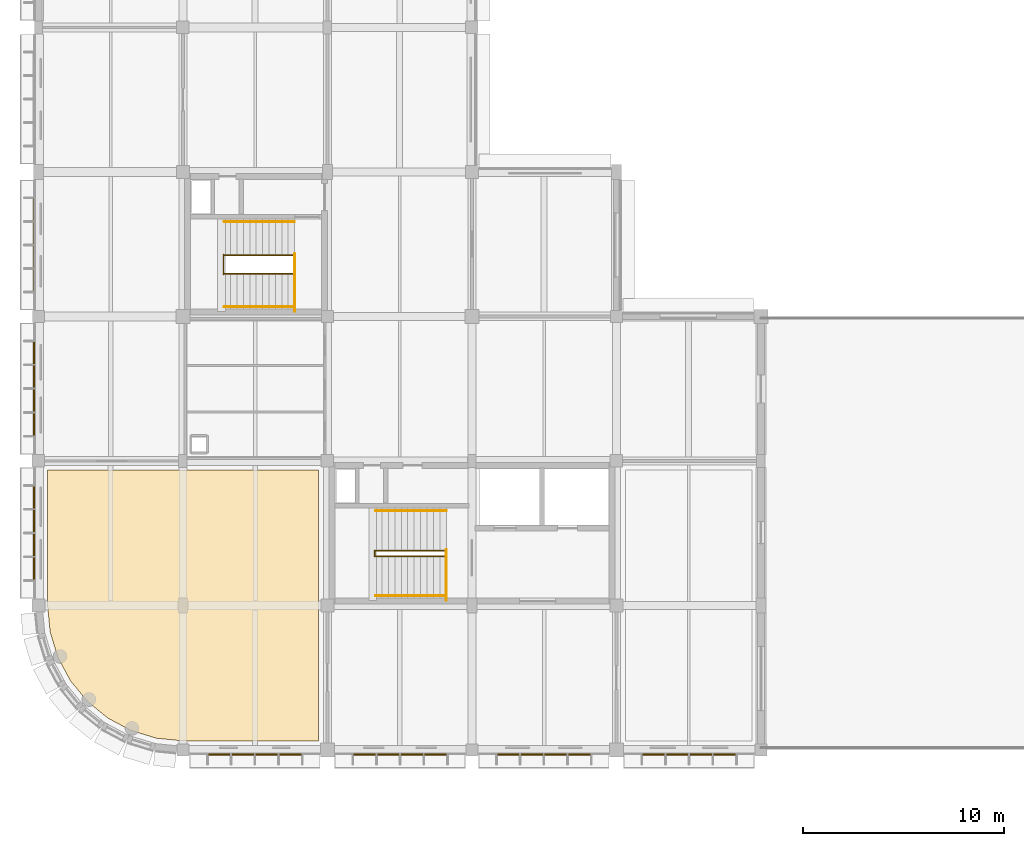
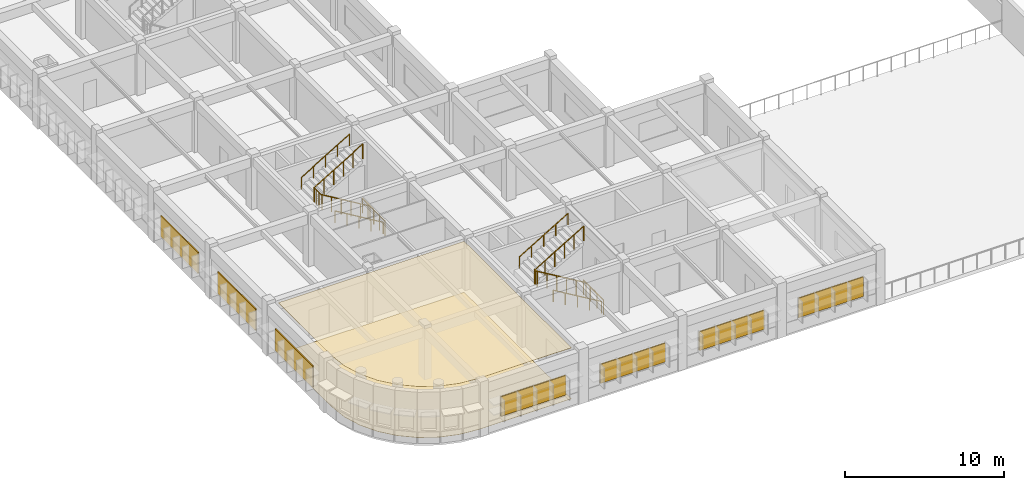
# One storey, part 97 of 103: 12 railings, 7 shading devices, 2 coverings.
"""IFC4 building model written with IfcOpenShell, lengths in metres."""

from ifc_helpers import new_model, si_unit, direction, frame, origin, origin_2d, place, context, subcontext, project, spatial, polyline, rectangle, circle, outline, extrude, material, layer, layer_set, type_object, element, save


model = new_model("IFC4")

# Units and contexts
model_context = context("Model", 3, precision=1e-05, world=origin(), true_north=direction((0.0, 1.0)))
body_context = subcontext(model_context, "Body", "Model", "MODEL_VIEW")
ifc_project = project(units=[si_unit("LENGTHUNIT", "METRE"), si_unit("AREAUNIT", "SQUARE_METRE"), si_unit("VOLUMEUNIT", "CUBIC_METRE"), si_unit("PLANEANGLEUNIT", "RADIAN"), si_unit("MASSUNIT", "GRAM", prefix="KILO")], contexts=[model_context])

# Site, building, storey
site_placement = place(None, origin())
site = spatial("IfcSite", under=ifc_project, at=site_placement, CompositionType="ELEMENT")
building_placement = place(site_placement, origin())
building = spatial("IfcBuilding", under=site, at=building_placement, Name="Thalmaran Polytechnic", CompositionType="ELEMENT")
storey_placement = place(building_placement, frame((0.0, 0.0, 14.39990234375)))
storey = spatial("IfcBuildingStorey", under=building, at=storey_placement, Name="L03", CompositionType="ELEMENT", Elevation=14.39990234375)

# Coverings
ifc_material_1 = material(Name="Acoustic mineral fibre ceiling")
ifc_layer_1 = layer(ifc_material_1, 0.02490234375, Name="Acoustic mineral fibre ceiling")
ifc_layer_set_1 = layer_set([ifc_layer_1], Name="Acoustic mineral fibre ceiling")
covering_type_1 = type_object("IfcCoveringType", Name="CV-CL01", PredefinedType="CEILING", material=ifc_layer_set_1)
covering_1_placement = place(storey_placement, frame((0.0, 0.0, 3.9150390625)))
element("IfcCovering", 1, at=covering_1_placement, inside=storey, type_object=covering_type_1, Name="Seminar Room L03-01 Acoustic Ceiling", PredefinedType="CEILING", context=body_context, shape_type="SweptSolid", body=[
    extrude(outline(polyline([(4.61767578125, 0.9658203125), (3.451171875, 1.58935546875), (2.428466796875, 2.428466796875), (1.58935546875, 3.451171875), (0.9658203125, 4.61767578125), (0.581787109375, 5.883544921875), (0.449951171875, 7.22216796875), (0.449951171875, 13.949951171875), (13.949951171875, 13.949951171875), (13.949951171875, 0.449951171875), (7.22216796875, 0.449951171875), (5.883544921875, 0.581787109375), (4.61767578125, 0.9658203125)])), origin(), (0.0, 0.0, 1.0), 0.025146484375),
])
ifc_material_2 = material(Name="Polished terrazzo and epoxy lab flooring")
ifc_layer_2 = layer(ifc_material_2, 0.02001953125, Name="Polished terrazzo and epoxy lab flooring")
ifc_layer_set_2 = layer_set([ifc_layer_2], Name="Polished terrazzo and epoxy lab flooring")
covering_type_2 = type_object("IfcCoveringType", Name="CV-FL01", PredefinedType="FLOORING", material=ifc_layer_set_2)
covering_2_placement = place(storey_placement, origin())
element("IfcCovering", 2, at=covering_2_placement, inside=storey, type_object=covering_type_2, Name="Seminar Room L03-01 Specialist Finish Flooring", PredefinedType="FLOORING", context=body_context, shape_type="SweptSolid", body=[
    extrude(outline(polyline([(4.61767578125, 0.9658203125), (3.451171875, 1.58935546875), (2.428466796875, 2.428466796875), (1.58935546875, 3.451171875), (0.9658203125, 4.61767578125), (0.581787109375, 5.883544921875), (0.449951171875, 7.22216796875), (0.449951171875, 13.949951171875), (13.949951171875, 13.949951171875), (13.949951171875, 0.449951171875), (7.22216796875, 0.449951171875), (5.883544921875, 0.581787109375), (4.61767578125, 0.9658203125)])), origin(), (0.0, 0.0, 1.0), 0.02001953125),
])

# Railings
ifc_material_3 = material(Name="Stainless steel 316", Category="steel")
railing_type_1 = type_object("IfcRailingType", Name="RL-GR01", PredefinedType="GUARDRAIL", material=ifc_material_3)
railing_1_placement = place(storey_placement, frame((20.330078125, 7.449951171875, 0.0)))
element("IfcRailing", 3, at=railing_1_placement, inside=storey, type_object=railing_type_1, Name="ST1 L03 Landing Edge Guardrail", PredefinedType="GUARDRAIL", context=body_context, shape_type="SweptSolid", body=[
    extrude(circle(Radius=0.02392578125, at=origin_2d()), frame((0.0, 0.0, 1.1259765625), z_axis=(0.0, 1.0, 0.0), x_axis=(-1.0, 0.0, 0.0)), (0.0, 0.0, 1.0), 2.530029296875),
    extrude(circle(Radius=0.02099609375, at=origin_2d()), origin(), (0.0, 0.0, 1.0), 1.101806640625),
    extrude(circle(Radius=0.02099609375, at=origin_2d()), frame((0.0, 0.84326171875, 0.0)), (0.0, 0.0, 1.0), 1.101806640625),
    extrude(circle(Radius=0.02099609375, at=origin_2d()), frame((0.0, 1.686767578125, 0.0)), (0.0, 0.0, 1.0), 1.101806640625),
    extrude(circle(Radius=0.02099609375, at=origin_2d()), frame((0.0, 2.530029296875, 0.0)), (0.0, 0.0, 1.0), 1.101806640625),
])
railing_2_placement = place(storey_placement, frame((20.320068359375, 9.659912109375, 0.0)))
element("IfcRailing", 4, at=railing_2_placement, inside=storey, type_object=railing_type_1, Name="ST1 L03 Lower Flight Guardrail", PredefinedType="GUARDRAIL", context=body_context, shape_type="SweptSolid", body=[
    extrude(circle(Radius=0.02392578125, at=origin_2d()), frame((0.0, 0.0, 1.1259765625), z_axis=(-0.85877260855, 0.0, 0.512356913493), x_axis=(0.0, -1.0, 0.0)), (0.0, 0.0, 1.0), 4.098876953125),
    extrude(circle(Radius=0.02099609375, at=origin_2d()), origin(), (0.0, 0.0, 1.0), 1.101806640625),
    extrude(circle(Radius=0.02099609375, at=origin_2d()), frame((-0.7041015625, 0.0, 0.419921875)), (0.0, 0.0, 1.0), 1.101806640625),
    extrude(circle(Radius=0.02099609375, at=origin_2d()), frame((-1.407958984375, 0.0, 0.840087890625)), (0.0, 0.0, 1.0), 1.101806640625),
    extrude(circle(Radius=0.02099609375, at=origin_2d()), frame((-2.112060546875, 0.0, 1.260009765625)), (0.0, 0.0, 1.0), 1.101806640625),
    extrude(circle(Radius=0.02099609375, at=origin_2d()), frame((-2.81591796875, 0.0, 1.68017578125)), (0.0, 0.0, 1.0), 1.101806640625),
    extrude(circle(Radius=0.02099609375, at=origin_2d()), frame((-3.52001953125, 0.0, 2.10009765625)), (0.0, 0.0, 1.0), 1.101806640625),
])
railing_3_placement = place(storey_placement, frame((16.760009765625, 9.639892578125, 2.10009765625)))
element("IfcRailing", 5, at=railing_3_placement, inside=storey, type_object=railing_type_1, Name="ST1 L03 Half-Landing Well Guardrail", PredefinedType="GUARDRAIL", context=body_context, shape_type="SweptSolid", body=[
    extrude(circle(Radius=0.02392578125, at=origin_2d()), frame((0.0, 0.0, 1.1259765625), z_axis=(0.0, 1.0, 0.0), x_axis=(-1.0, 0.0, 0.0)), (0.0, 0.0, 1.0), 0.300048828125),
    extrude(circle(Radius=0.02099609375, at=origin_2d()), origin(), (0.0, 0.0, 1.0), 1.101806640625),
    extrude(circle(Radius=0.02099609375, at=origin_2d()), frame((0.0, 0.300048828125, 0.0)), (0.0, 0.0, 1.0), 1.101806640625),
])
railing_4_placement = place(storey_placement, frame((16.800048828125, 9.919921875, 2.10009765625)))
element("IfcRailing", 6, at=railing_4_placement, inside=storey, type_object=railing_type_1, Name="ST1 L03 Upper Flight Guardrail", PredefinedType="GUARDRAIL", context=body_context, shape_type="SweptSolid", body=[
    extrude(circle(Radius=0.02392578125, at=origin_2d()), frame((0.0, 0.0, 1.1259765625), z_axis=(0.85877260855, 0.0, 0.512356913493), x_axis=(0.0, 1.0, 0.0)), (0.0, 0.0, 1.0), 4.098876953125),
    extrude(circle(Radius=0.02099609375, at=origin_2d()), origin(), (0.0, 0.0, 1.0), 1.101806640625),
    extrude(circle(Radius=0.02099609375, at=origin_2d()), frame((0.7041015625, 0.0, 0.419921875)), (0.0, 0.0, 1.0), 1.101806640625),
    extrude(circle(Radius=0.02099609375, at=origin_2d()), frame((1.407958984375, 0.0, 0.840087890625)), (0.0, 0.0, 1.0), 1.101806640625),
    extrude(circle(Radius=0.02099609375, at=origin_2d()), frame((2.112060546875, 0.0, 1.260009765625)), (0.0, 0.0, 1.0), 1.101806640625),
    extrude(circle(Radius=0.02099609375, at=origin_2d()), frame((2.81591796875, 0.0, 1.68017578125)), (0.0, 0.0, 1.0), 1.101806640625),
    extrude(circle(Radius=0.02099609375, at=origin_2d()), frame((3.52001953125, 0.0, 2.10009765625)), (0.0, 0.0, 1.0), 1.101806640625),
])
railing_5_placement = place(storey_placement, frame((12.77001953125, 21.85009765625, 0.0)))
element("IfcRailing", 7, at=railing_5_placement, inside=storey, type_object=railing_type_1, Name="ST3 L03 Landing Edge Guardrail", PredefinedType="GUARDRAIL", context=body_context, shape_type="SweptSolid", body=[
    extrude(circle(Radius=0.02392578125, at=origin_2d()), frame((0.0, 0.0, 1.1259765625), z_axis=(0.0, 1.0, 0.0), x_axis=(-1.0, 0.0, 0.0)), (0.0, 0.0, 1.0), 2.869873046875),
    extrude(circle(Radius=0.02099609375, at=origin_2d()), origin(), (0.0, 0.0, 1.0), 1.101806640625),
    extrude(circle(Radius=0.02099609375, at=origin_2d()), frame((0.0, 0.717529296875, 0.0)), (0.0, 0.0, 1.0), 1.101806640625),
    extrude(circle(Radius=0.02099609375, at=origin_2d()), frame((0.0, 1.43505859375, 0.0)), (0.0, 0.0, 1.0), 1.101806640625),
    extrude(circle(Radius=0.02099609375, at=origin_2d()), frame((0.0, 2.15234375, 0.0)), (0.0, 0.0, 1.0), 1.101806640625),
    extrude(circle(Radius=0.02099609375, at=origin_2d()), frame((0.0, 2.869873046875, 0.0)), (0.0, 0.0, 1.0), 1.101806640625),
])
railing_6_placement = place(storey_placement, frame((12.760009765625, 23.719970703125, 0.0)))
element("IfcRailing", 8, at=railing_6_placement, inside=storey, type_object=railing_type_1, Name="ST3 L03 Lower Flight Guardrail", PredefinedType="GUARDRAIL", context=body_context, shape_type="SweptSolid", body=[
    extrude(circle(Radius=0.02392578125, at=origin_2d()), frame((0.0, 0.0, 1.1259765625), z_axis=(-0.857482370257, 0.0, 0.514513347444), x_axis=(0.0, -1.0, 0.0)), (0.0, 0.0, 1.0), 4.081787109375),
    extrude(circle(Radius=0.02099609375, at=origin_2d()), origin(), (0.0, 0.0, 1.0), 1.101806640625),
    extrude(circle(Radius=0.02099609375, at=origin_2d()), frame((-0.699951171875, 0.0, 0.419921875)), (0.0, 0.0, 1.0), 1.101806640625),
    extrude(circle(Radius=0.02099609375, at=origin_2d()), frame((-1.39990234375, 0.0, 0.840087890625)), (0.0, 0.0, 1.0), 1.101806640625),
    extrude(circle(Radius=0.02099609375, at=origin_2d()), frame((-2.10009765625, 0.0, 1.260009765625)), (0.0, 0.0, 1.0), 1.101806640625),
    extrude(circle(Radius=0.02099609375, at=origin_2d()), frame((-2.800048828125, 0.0, 1.68017578125)), (0.0, 0.0, 1.0), 1.101806640625),
    extrude(circle(Radius=0.02099609375, at=origin_2d()), frame((-3.5, 0.0, 2.10009765625)), (0.0, 0.0, 1.0), 1.101806640625),
])
railing_7_placement = place(storey_placement, frame((9.219970703125, 23.699951171875, 2.10009765625)))
element("IfcRailing", 9, at=railing_7_placement, inside=storey, type_object=railing_type_1, Name="ST3 L03 Half-Landing Well Guardrail", PredefinedType="GUARDRAIL", context=body_context, shape_type="SweptSolid", body=[
    extrude(circle(Radius=0.02392578125, at=origin_2d()), frame((0.0, 0.0, 1.1259765625), z_axis=(0.0, 1.0, 0.0), x_axis=(-1.0, 0.0, 0.0)), (0.0, 0.0, 1.0), 0.97998046875),
    extrude(circle(Radius=0.02099609375, at=origin_2d()), origin(), (0.0, 0.0, 1.0), 1.101806640625),
    extrude(circle(Radius=0.02099609375, at=origin_2d()), frame((0.0, 0.32666015625, 0.0)), (0.0, 0.0, 1.0), 1.101806640625),
    extrude(circle(Radius=0.02099609375, at=origin_2d()), frame((0.0, 0.6533203125, 0.0)), (0.0, 0.0, 1.0), 1.101806640625),
    extrude(circle(Radius=0.02099609375, at=origin_2d()), frame((0.0, 0.97998046875, 0.0)), (0.0, 0.0, 1.0), 1.101806640625),
])
railing_8_placement = place(storey_placement, frame((9.260009765625, 24.659912109375, 2.10009765625)))
element("IfcRailing", 10, at=railing_8_placement, inside=storey, type_object=railing_type_1, Name="ST3 L03 Upper Flight Guardrail", PredefinedType="GUARDRAIL", context=body_context, shape_type="SweptSolid", body=[
    extrude(circle(Radius=0.02392578125, at=origin_2d()), frame((0.0, 0.0, 1.1259765625), z_axis=(0.857482370257, 0.0, 0.514513347444), x_axis=(0.0, 1.0, 0.0)), (0.0, 0.0, 1.0), 4.081787109375),
    extrude(circle(Radius=0.02099609375, at=origin_2d()), origin(), (0.0, 0.0, 1.0), 1.101806640625),
    extrude(circle(Radius=0.02099609375, at=origin_2d()), frame((0.699951171875, 0.0, 0.419921875)), (0.0, 0.0, 1.0), 1.101806640625),
    extrude(circle(Radius=0.02099609375, at=origin_2d()), frame((1.39990234375, 0.0, 0.840087890625)), (0.0, 0.0, 1.0), 1.101806640625),
    extrude(circle(Radius=0.02099609375, at=origin_2d()), frame((2.10009765625, 0.0, 1.260009765625)), (0.0, 0.0, 1.0), 1.101806640625),
    extrude(circle(Radius=0.02099609375, at=origin_2d()), frame((2.800048828125, 0.0, 1.68017578125)), (0.0, 0.0, 1.0), 1.101806640625),
    extrude(circle(Radius=0.02099609375, at=origin_2d()), frame((3.5, 0.0, 2.10009765625)), (0.0, 0.0, 1.0), 1.101806640625),
])
railing_type_2 = type_object("IfcRailingType", Name="RL-HR01", PredefinedType="HANDRAIL", material=ifc_material_3)
railing_9_placement = place(storey_placement, frame((20.320068359375, 7.679931640625, 0.0)))
element("IfcRailing", 11, at=railing_9_placement, inside=storey, type_object=railing_type_2, Name="ST1 L03 Flight 1 Handrail", PredefinedType="HANDRAIL", context=body_context, shape_type="SweptSolid", body=[
    extrude(circle(Radius=0.02392578125, at=origin_2d()), frame((0.0, 0.0, 0.8759765625), z_axis=(-0.85877260855, 0.0, 0.512356913493), x_axis=(0.0, -1.0, 0.0)), (0.0, 0.0, 1.0), 4.098876953125),
    extrude(circle(Radius=0.02099609375, at=origin_2d()), origin(), (0.0, 0.0, 1.0), 0.851806640625),
    extrude(circle(Radius=0.02099609375, at=origin_2d()), frame((-0.8798828125, 0.0, 0.52490234375)), (0.0, 0.0, 1.0), 0.851806640625),
    extrude(circle(Radius=0.02099609375, at=origin_2d()), frame((-1.760009765625, 0.0, 1.050048828125)), (0.0, 0.0, 1.0), 0.851806640625),
    extrude(circle(Radius=0.02099609375, at=origin_2d()), frame((-2.64013671875, 0.0, 1.5751953125)), (0.0, 0.0, 1.0), 0.851806640625),
    extrude(circle(Radius=0.02099609375, at=origin_2d()), frame((-3.52001953125, 0.0, 2.10009765625)), (0.0, 0.0, 1.0), 0.851806640625),
])
railing_10_placement = place(storey_placement, frame((16.800048828125, 11.919921875, 2.10009765625)))
element("IfcRailing", 12, at=railing_10_placement, inside=storey, type_object=railing_type_2, Name="ST1 L03 Flight 2 Handrail", PredefinedType="HANDRAIL", context=body_context, shape_type="SweptSolid", body=[
    extrude(circle(Radius=0.02392578125, at=origin_2d()), frame((0.0, 0.0, 0.8759765625), z_axis=(0.85877260855, 0.0, 0.512356913493), x_axis=(0.0, 1.0, 0.0)), (0.0, 0.0, 1.0), 4.098876953125),
    extrude(circle(Radius=0.02099609375, at=origin_2d()), origin(), (0.0, 0.0, 1.0), 0.851806640625),
    extrude(circle(Radius=0.02099609375, at=origin_2d()), frame((0.8798828125, 0.0, 0.52490234375)), (0.0, 0.0, 1.0), 0.851806640625),
    extrude(circle(Radius=0.02099609375, at=origin_2d()), frame((1.760009765625, 0.0, 1.050048828125)), (0.0, 0.0, 1.0), 0.851806640625),
    extrude(circle(Radius=0.02099609375, at=origin_2d()), frame((2.64013671875, 0.0, 1.5751953125)), (0.0, 0.0, 1.0), 0.851806640625),
    extrude(circle(Radius=0.02099609375, at=origin_2d()), frame((3.52001953125, 0.0, 2.10009765625)), (0.0, 0.0, 1.0), 0.851806640625),
])
railing_11_placement = place(storey_placement, frame((12.760009765625, 22.080078125, 0.0)))
element("IfcRailing", 13, at=railing_11_placement, inside=storey, type_object=railing_type_2, Name="ST3 L03 Flight 1 Handrail", PredefinedType="HANDRAIL", context=body_context, shape_type="SweptSolid", body=[
    extrude(circle(Radius=0.02392578125, at=origin_2d()), frame((0.0, 0.0, 0.8759765625), z_axis=(-0.857482370257, 0.0, 0.514513347444), x_axis=(0.0, -1.0, 0.0)), (0.0, 0.0, 1.0), 4.081787109375),
    extrude(circle(Radius=0.02099609375, at=origin_2d()), origin(), (0.0, 0.0, 1.0), 0.851806640625),
    extrude(circle(Radius=0.02099609375, at=origin_2d()), frame((-0.875, 0.0, 0.52490234375)), (0.0, 0.0, 1.0), 0.851806640625),
    extrude(circle(Radius=0.02099609375, at=origin_2d()), frame((-1.75, 0.0, 1.050048828125)), (0.0, 0.0, 1.0), 0.851806640625),
    extrude(circle(Radius=0.02099609375, at=origin_2d()), frame((-2.625, 0.0, 1.5751953125)), (0.0, 0.0, 1.0), 0.851806640625),
    extrude(circle(Radius=0.02099609375, at=origin_2d()), frame((-3.5, 0.0, 2.10009765625)), (0.0, 0.0, 1.0), 0.851806640625),
])
railing_12_placement = place(storey_placement, frame((9.260009765625, 26.320068359375, 2.10009765625)))
element("IfcRailing", 14, at=railing_12_placement, inside=storey, type_object=railing_type_2, Name="ST3 L03 Flight 2 Handrail", PredefinedType="HANDRAIL", context=body_context, shape_type="SweptSolid", body=[
    extrude(circle(Radius=0.02392578125, at=origin_2d()), frame((0.0, 0.0, 0.8759765625), z_axis=(0.857482370257, 0.0, 0.514513347444), x_axis=(0.0, 1.0, 0.0)), (0.0, 0.0, 1.0), 4.081787109375),
    extrude(circle(Radius=0.02099609375, at=origin_2d()), origin(), (0.0, 0.0, 1.0), 0.851806640625),
    extrude(circle(Radius=0.02099609375, at=origin_2d()), frame((0.875, 0.0, 0.52490234375)), (0.0, 0.0, 1.0), 0.851806640625),
    extrude(circle(Radius=0.02099609375, at=origin_2d()), frame((1.75, 0.0, 1.050048828125)), (0.0, 0.0, 1.0), 0.851806640625),
    extrude(circle(Radius=0.02099609375, at=origin_2d()), frame((2.625, 0.0, 1.5751953125)), (0.0, 0.0, 1.0), 0.851806640625),
    extrude(circle(Radius=0.02099609375, at=origin_2d()), frame((3.5, 0.0, 2.10009765625)), (0.0, 0.0, 1.0), 0.851806640625),
])

# Shading devices
ifc_material_4 = material(Name="Perforated anodised-bronze aluminium screen", Category="aluminium")
ifc_layer_3 = layer(ifc_material_4, 0.080078125, Name="Perforated anodised-bronze aluminium screen")
ifc_layer_set_3 = layer_set([ifc_layer_3], Name="Perforated anodised-bronze aluminium screen")
shading_device_type = type_object("IfcShadingDeviceType", Name="SH-JL01", PredefinedType="JALOUSIE", material=ifc_layer_set_3)
shading_device_1_placement = place(storey_placement, frame((-0.219970703125, 10.800048828125, 1.025146484375), z_axis=(0.0, 0.0, 1.0), x_axis=(0.0, 1.0, 0.0)))
element("IfcShadingDevice", 15, at=shading_device_1_placement, inside=storey, type_object=shading_device_type, Name="Anodised-Bronze Mashrabiya Solar Screen L03-030", PredefinedType="JALOUSIE", context=body_context, shape_type="SweptSolid", body=[
    extrude(rectangle(XDim=4.726806640625, YDim=0.080078125, at=origin_2d()), origin(), (0.0, 0.0, 1.0), 1.64990234375),
])
shading_device_2_placement = place(storey_placement, frame((-0.219970703125, 18.0, 1.025146484375), z_axis=(0.0, 0.0, 1.0), x_axis=(0.0, 1.0, 0.0)))
element("IfcShadingDevice", 16, at=shading_device_2_placement, inside=storey, type_object=shading_device_type, Name="Anodised-Bronze Mashrabiya Solar Screen L03-031", PredefinedType="JALOUSIE", context=body_context, shape_type="SweptSolid", body=[
    extrude(rectangle(XDim=4.744873046875, YDim=0.080078125, at=origin_2d()), origin(), (0.0, 0.0, 1.0), 1.64990234375),
])
shading_device_3_placement = place(storey_placement, frame((-0.219970703125, 25.199951171875, 1.025146484375), z_axis=(0.0, 0.0, 1.0), x_axis=(0.0, 1.0, 0.0)))
element("IfcShadingDevice", 17, at=shading_device_3_placement, inside=storey, type_object=shading_device_type, Name="Anodised-Bronze Mashrabiya Solar Screen L03-032", PredefinedType="JALOUSIE", context=body_context, shape_type="SweptSolid", body=[
    extrude(rectangle(XDim=4.697998046875, YDim=0.080078125, at=origin_2d()), origin(), (0.0, 0.0, 1.0), 1.60009765625),
])
shading_device_4_placement = place(storey_placement, frame((32.39990234375, -0.219970703125, 1.025146484375), z_axis=(0.0, 0.0, 1.0), x_axis=(-1.0, 0.0, 0.0)))
element("IfcShadingDevice", 18, at=shading_device_4_placement, inside=storey, type_object=shading_device_type, Name="Anodised-Bronze Mashrabiya Solar Screen L03-104", PredefinedType="JALOUSIE", context=body_context, shape_type="SweptSolid", body=[
    extrude(rectangle(XDim=4.72314453125, YDim=0.080078125, at=origin_2d()), origin(), (0.0, 0.0, 1.0), 1.5),
])
for number, where, z_axis, x_axis, name in (
    (19, (25.199951171875, -0.219970703125, 1.02490234375), (0.0, 0.0, 1.0), (-1.0, 0.0, 0.0), "Anodised-Bronze Mashrabiya Solar Screen L03-105"),
    (20, (18.0, -0.219970703125, 1.02490234375), (0.0, 0.0, 1.0), (-1.0, 0.0, 0.0), "Anodised-Bronze Mashrabiya Solar Screen L03-106"),
):
    element("IfcShadingDevice", number, at=place(storey_placement, frame(where, z_axis=z_axis, x_axis=x_axis)), inside=storey, type_object=shading_device_type, Name=name, PredefinedType="JALOUSIE", context=body_context, shape_type="SweptSolid", body=[
        extrude(rectangle(XDim=4.72314453125, YDim=0.080078125, at=origin_2d()), origin(), (0.0, 0.0, 1.0), 1.449951171875),
    ])
shading_device_5_placement = place(storey_placement, frame((10.800048828125, -0.219970703125, 1.025146484375), z_axis=(0.0, 0.0, 1.0), x_axis=(-1.0, 0.0, 0.0)))
element("IfcShadingDevice", 21, at=shading_device_5_placement, inside=storey, type_object=shading_device_type, Name="Anodised-Bronze Mashrabiya Solar Screen L03-107", PredefinedType="JALOUSIE", context=body_context, shape_type="SweptSolid", body=[
    extrude(rectangle(XDim=4.72314453125, YDim=0.080078125, at=origin_2d()), origin(), (0.0, 0.0, 1.0), 1.5),
])

save(model, "model.ifc")
